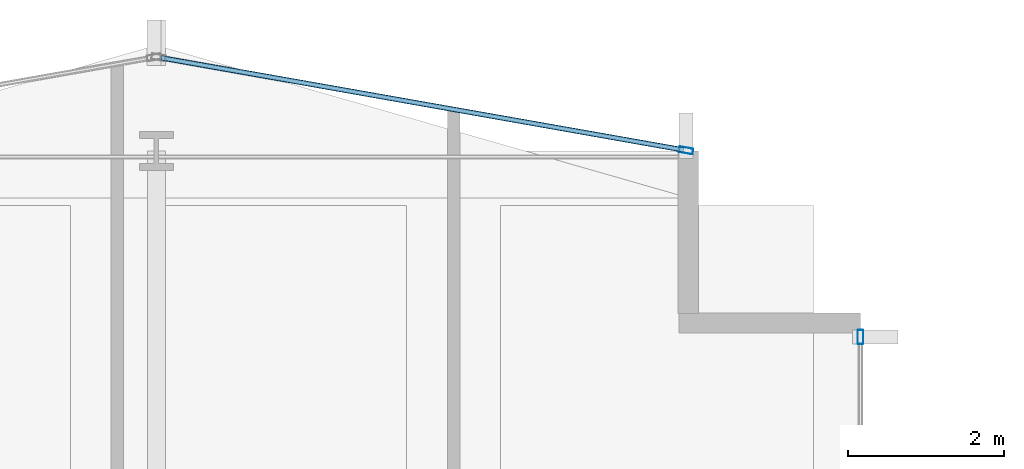
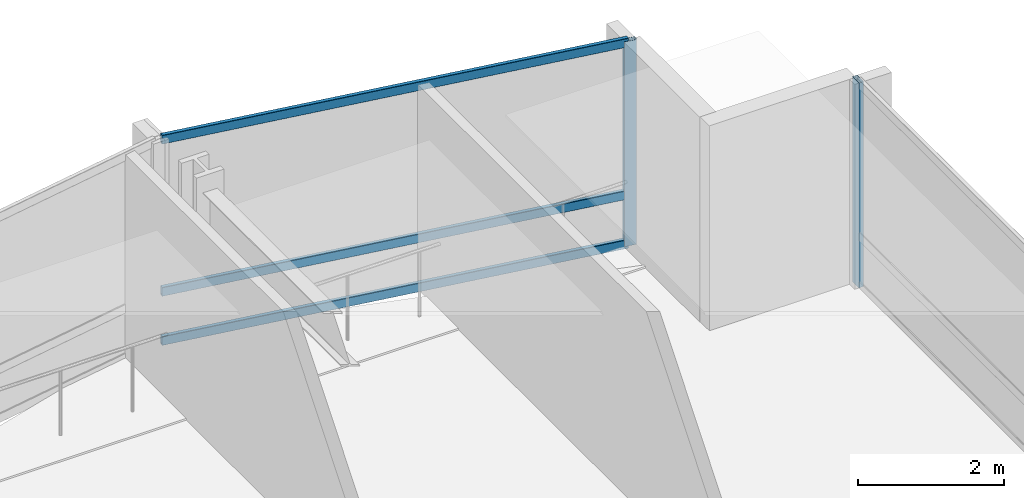
# One storey, part 24 of 34: 5 members, 2 elements without a shape of their own.
"""IFC4 building model written with IfcOpenShell, lengths in metres."""

from ifc_helpers import new_model, si_unit, direction, frame, origin, origin_2d, place, context, subcontext, project, spatial, hollow_rectangle, extrude, material, layer, layer_set, material_profile, profile_set, type_object, element, aggregate, save


model = new_model("IFC4")

# Units and contexts
model_context = context("Model", 3, precision=1e-05, world=origin(), true_north=direction((0.0, 1.0)))
body_context = subcontext(model_context, "Body", "Model", "MODEL_VIEW")
ifc_project = project(units=[si_unit("LENGTHUNIT", "METRE"), si_unit("AREAUNIT", "SQUARE_METRE"), si_unit("VOLUMEUNIT", "CUBIC_METRE"), si_unit("PLANEANGLEUNIT", "RADIAN"), si_unit("MASSUNIT", "GRAM", prefix="KILO")], contexts=[model_context])

# Site, building, storey
site_placement = place(None, origin())
site = spatial("IfcSite", under=ifc_project, at=site_placement, CompositionType="ELEMENT")
building_placement = place(site_placement, origin())
building = spatial("IfcBuilding", under=site, at=building_placement, Name="Solvaryn Broadcast Tower", CompositionType="ELEMENT")
storey_placement = place(building_placement, frame((0.0, 0.0, 58.199951171875)))
storey = spatial("IfcBuildingStorey", under=building, at=storey_placement, Name="L13", CompositionType="ELEMENT", Elevation=58.199951171875)

# Curtain wall, member
ifc_material_1 = material(Name="Aluminium and Terracotta Unitised Curtain Wall", Category="masonry")
ifc_layer = layer(ifc_material_1, 0.199951171875)
ifc_layer_set = layer_set([ifc_layer], Name="CW-SYS2-LOWMID")
curtain_wall_type = type_object("IfcCurtainWallType", Name="CW-SYS2-LOWMID", PredefinedType="NOTDEFINED", material=ifc_layer_set)
curtain_wall_1_placement = place(storey_placement, origin())
curtain_wall_1 = element("IfcCurtainWall", 1, at=curtain_wall_1_placement, inside=storey, type_object=curtain_wall_type, Name="L13 Curtain Wall IV", PredefinedType="NOTDEFINED")
ifc_material_2 = material(Name="Anodised Aluminium 6063-T6", Category="aluminium")
ifc_material_profile_1 = material_profile(ifc_material_2, hollow_rectangle(XDim=0.074951171875, YDim=0.179931640625, WallThickness=0.00390625, InnerFilletRadius=0.00390625, OuterFilletRadius=0.008056640625, at=origin_2d()))
ifc_profile_set_1 = profile_set([ifc_material_profile_1], Name="Anodised Aluminium 6063-T6")
member_type_1 = type_object("IfcMemberType", Name="CW-MUL-180", PredefinedType="MULLION", material=ifc_profile_set_1)
member_1_placement = place(storey_placement, frame((27.0, 51.6201171875, 0.0), z_axis=(0.0, 0.0, 1.0), x_axis=(1.0, 0.0, 0.0)))
member_1 = element("IfcMember", 2, at=member_1_placement, type_object=member_type_1, Name="CWS2 mullion 1", PredefinedType="MULLION", context=body_context, shape_type="SweptSolid", body=[
    extrude(hollow_rectangle(XDim=0.074951171875, YDim=0.179931640625, WallThickness=0.00390625, InnerFilletRadius=0.00390625, OuterFilletRadius=0.008056640625, at=origin_2d()), origin(), (0.0, 0.0, 1.0), 3.420166015625),
])
aggregate(curtain_wall_1, [member_1])

# Curtain wall, members
curtain_wall_2_placement = place(storey_placement, origin())
curtain_wall_2 = element("IfcCurtainWall", 3, at=curtain_wall_2_placement, inside=storey, type_object=curtain_wall_type, Name="L13 Curtain Wall NT1", PredefinedType="NOTDEFINED")
member_2_placement = place(storey_placement, frame((24.7705078125, 54.005126953125, 0.0), z_axis=(0.0, 0.0, 1.0), x_axis=(-0.173785333901, -0.984783558819, 0.0)))
member_2 = element("IfcMember", 4, at=member_2_placement, type_object=member_type_1, Name="CWS2 mullion 1", PredefinedType="MULLION", context=body_context, shape_type="SweptSolid", body=[
    extrude(hollow_rectangle(XDim=0.074951171875, YDim=0.179931640625, WallThickness=0.00390625, InnerFilletRadius=0.00390625, OuterFilletRadius=0.008056640625, at=origin_2d()), origin(), (0.0, 0.0, 1.0), 3.420166015625),
])
ifc_material_3 = material(Name="Anodised Aluminium 6063-T6", Category="aluminium")
ifc_material_profile_2 = material_profile(ifc_material_3, hollow_rectangle(XDim=0.06494140625, YDim=0.14990234375, WallThickness=0.00390625, InnerFilletRadius=0.00390625, OuterFilletRadius=0.008056640625, at=origin_2d()))
ifc_profile_set_2 = profile_set([ifc_material_profile_2], Name="Anodised Aluminium 6063-T6")
member_type_2 = type_object("IfcMemberType", Name="CW-TRN-150", PredefinedType="USERDEFINED", material=ifc_profile_set_2)
member_3_placement = place(storey_placement, frame((24.740966796875, 54.010498046875, 0.030029296875), z_axis=(-0.984788629673, 0.173756596613, 0.0), x_axis=(-0.173756596613, -0.984788629673, 0.0)))
member_3 = element("IfcMember", 5, at=member_3_placement, type_object=member_type_2, Name="CWS2 transom 1.1", ObjectType="TRANSOM", PredefinedType="USERDEFINED", context=body_context, shape_type="SweptSolid", body=[
    extrude(hollow_rectangle(XDim=0.06494140625, YDim=0.14990234375, WallThickness=0.00390625, InnerFilletRadius=0.00390625, OuterFilletRadius=0.008056640625, at=origin_2d()), origin(), (0.0, 0.0, 1.0), 6.78515625),
])
member_4_placement = place(storey_placement, frame((24.740966796875, 54.010498046875, 0.85009765625), z_axis=(-0.984788629673, 0.173756596613, 0.0), x_axis=(-0.173756596613, -0.984788629673, 0.0)))
member_4 = element("IfcMember", 6, at=member_4_placement, type_object=member_type_2, Name="CWS2 transom 1.2", ObjectType="TRANSOM", PredefinedType="USERDEFINED", context=body_context, shape_type="SweptSolid", body=[
    extrude(hollow_rectangle(XDim=0.06494140625, YDim=0.14990234375, WallThickness=0.00390625, InnerFilletRadius=0.00390625, OuterFilletRadius=0.008056640625, at=origin_2d()), origin(), (0.0, 0.0, 1.0), 6.78515625),
])
member_5_placement = place(storey_placement, frame((24.740966796875, 54.010498046875, 3.39013671875), z_axis=(-0.984788629673, 0.173756596613, 0.0), x_axis=(-0.173756596613, -0.984788629673, 0.0)))
member_5 = element("IfcMember", 7, at=member_5_placement, type_object=member_type_2, Name="CWS2 transom 1.3", ObjectType="TRANSOM", PredefinedType="USERDEFINED", context=body_context, shape_type="SweptSolid", body=[
    extrude(hollow_rectangle(XDim=0.06494140625, YDim=0.14990234375, WallThickness=0.00390625, InnerFilletRadius=0.00390625, OuterFilletRadius=0.008056640625, at=origin_2d()), origin(), (0.0, 0.0, 1.0), 6.78515625),
])
aggregate(curtain_wall_2, [member_2, member_3, member_4, member_5])

save(model, "model.ifc")
